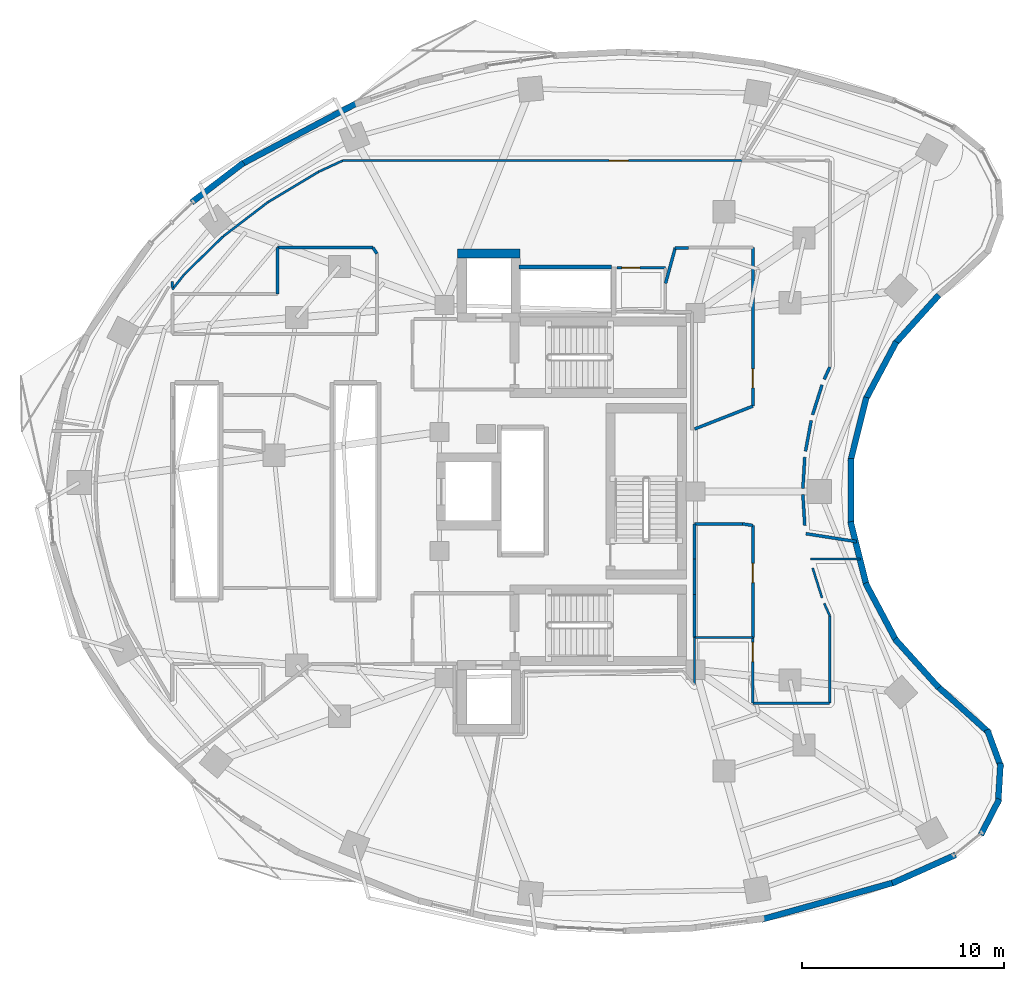
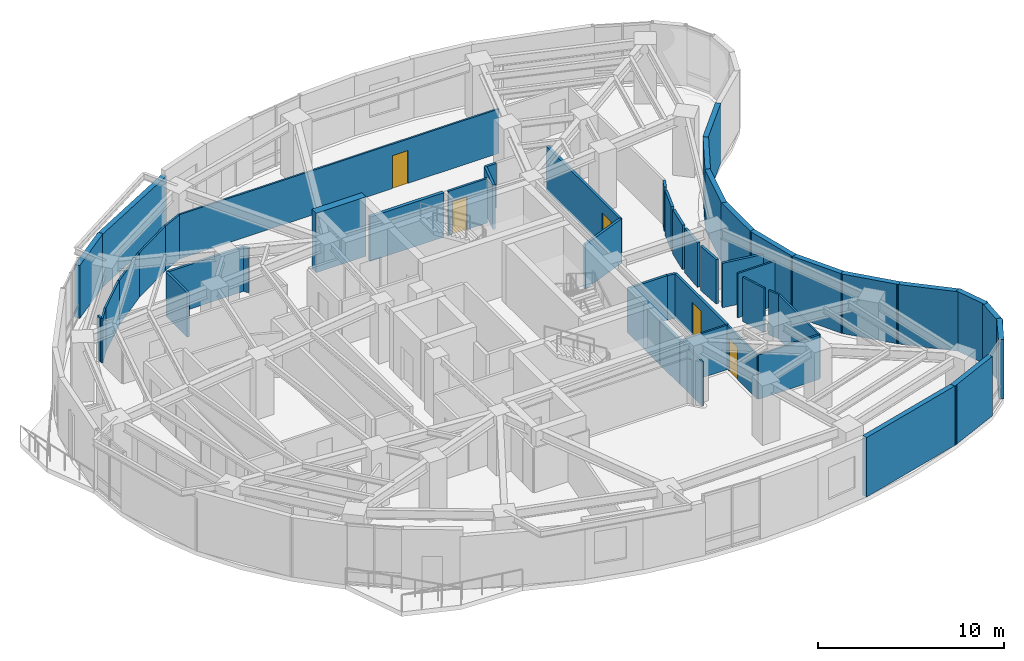
# One storey, part 10 of 14: 52 walls, 5 doors, 5 openings.
"""IFC4 building model written with IfcOpenShell, lengths in metres."""

from ifc_helpers import new_model, si_unit, direction, frame, frame_2d, origin, place, context, subcontext, project, spatial, rectangle, extrude, material, layer, layer_set, type_object, element, fill, save


model = new_model("IFC4")

# Units and contexts
model_context = context("Model", 3, precision=1e-05, world=origin(), true_north=direction((0.0, 1.0)))
body_context = subcontext(model_context, "Body", "Model", "MODEL_VIEW")
ifc_project = project(units=[si_unit("LENGTHUNIT", "METRE"), si_unit("AREAUNIT", "SQUARE_METRE"), si_unit("VOLUMEUNIT", "CUBIC_METRE"), si_unit("PLANEANGLEUNIT", "RADIAN"), si_unit("MASSUNIT", "GRAM", prefix="KILO")], contexts=[model_context])

# Site, building, storey
site_placement = place(None, origin())
site = spatial("IfcSite", under=ifc_project, at=site_placement, CompositionType="ELEMENT")
building_placement = place(site_placement, origin())
building = spatial("IfcBuilding", under=site, at=building_placement, Name="Korentha Bioscience Tower", CompositionType="ELEMENT")
storey_placement = place(building_placement, frame((0.0, 0.0, 119.39990234375)))
storey = spatial("IfcBuildingStorey", under=building, at=storey_placement, Name="L27", CompositionType="ELEMENT", Elevation=119.39990234375)

# Wall, opening, door
ifc_material_1 = material(Name="Double-Stud Acoustic Gypsum", Category="gypsum")
ifc_layer_1 = layer(ifc_material_1, 0.14990234375, Name="Double-Stud Acoustic Gypsum")
ifc_layer_set_1 = layer_set([ifc_layer_1], Name="Double-Stud Acoustic Gypsum (IW-L150)")
wall_type_1 = type_object("IfcWallType", Name="Acoustic Laboratory Partition Wall 150", PredefinedType="PARTITIONING", material=ifc_layer_set_1)
wall_1_placement = place(storey_placement, frame((40.389892578125, 25.3095703125, 0.0), z_axis=(0.0, 0.0, 1.0), x_axis=(0.0, -1.0, 0.0)))
wall_1 = element("IfcWall", 1, at=wall_1_placement, inside=storey, type_object=wall_type_1, Name="L27 Fluorescence Confocal Microscopy Room 05 Entrance Wall", PredefinedType="PARTITIONING", context=body_context, shape_type="SweptSolid", body=[
    extrude(rectangle(XDim=5.551513671875, YDim=0.14990234375, at=frame_2d((2.77587890625, 0.0))), origin(), (0.0, 0.0, 1.0), 2.91015625),
])
opening_1_placement = place(wall_1_placement, frame((1.881591796875, 0.0, 0.0)))
opening_1 = element("IfcOpeningElement", 2, at=opening_1_placement, cuts=wall_1, Name="Opening ID-10L", PredefinedType="OPENING", context=body_context, shape_type="SweptSolid", body=[
    extrude(rectangle(XDim=0.949951171875, YDim=2.14990234375, at=frame_2d((0.47509765625, 1.074951171875))), frame((0.0, 0.08984375, 0.0), z_axis=(0.0, -1.0, 0.0), x_axis=(1.0, 0.0, 0.0)), (0.0, 0.0, 1.0), 0.1796875),
])
ifc_material_2 = material(Name="Phenolic Laminate Timber Core", Category="wood")
door_type_1 = type_object("IfcDoorType", Name="Laboratory Single Leaf Door 950x2150 Left", OperationType="SINGLE_SWING_LEFT", PredefinedType="DOOR", material=ifc_material_2)
door_1_placement = place(opening_1_placement, origin())
door_1 = element("IfcDoor", 3, at=door_1_placement, inside=storey, type_object=door_type_1, Name="L27 Fluorescence Confocal Microscopy Room 05 Door", OperationType="SINGLE_SWING_LEFT", OverallHeight=2.14990234375, OverallWidth=0.949951171875, PredefinedType="DOOR", context=body_context, shape_type="SweptSolid", body=[
    extrude(rectangle(XDim=0.949951171875, YDim=2.14990234375, at=frame_2d((0.47509765625, 1.074951171875))), frame((0.0, 0.02490234375, 0.0), z_axis=(0.0, -1.0, 0.0), x_axis=(1.0, 0.0, 0.0)), (0.0, 0.0, 1.0), 0.050048828125),
])
fill(opening_1, door_1)

wall_2_placement = place(storey_placement, frame((40.389892578125, 39.090087890625, 0.0), z_axis=(0.0, 0.0, 1.0), x_axis=(0.0, -1.0, 0.0)))
wall_2 = element("IfcWall", 4, at=wall_2_placement, inside=storey, type_object=wall_type_1, Name="L27 Translational Medicine Team Office 07 Entrance Wall", PredefinedType="PARTITIONING", context=body_context, shape_type="SweptSolid", body=[
    extrude(rectangle(XDim=7.8623046875, YDim=0.14990234375, at=frame_2d((3.93115234375, 0.0))), origin(), (0.0, 0.0, 1.0), 2.91015625),
])
opening_2_placement = place(wall_2_placement, frame((6.00634765625, 0.0, 0.0)))
opening_2 = element("IfcOpeningElement", 5, at=opening_2_placement, cuts=wall_2, Name="Opening ID-10L", PredefinedType="OPENING", context=body_context, shape_type="SweptSolid", body=[
    extrude(rectangle(XDim=0.949951171875, YDim=2.14990234375, at=frame_2d((0.47509765625, 1.074951171875))), frame((0.0, 0.08984375, 0.0), z_axis=(0.0, -1.0, 0.0), x_axis=(1.0, 0.0, 0.0)), (0.0, 0.0, 1.0), 0.1796875),
])
door_2_placement = place(opening_2_placement, origin())
door_2 = element("IfcDoor", 6, at=door_2_placement, inside=storey, type_object=door_type_1, Name="L27 Translational Medicine Team Office 07 Door", OperationType="SINGLE_SWING_LEFT", OverallHeight=2.14990234375, OverallWidth=0.949951171875, PredefinedType="DOOR", context=body_context, shape_type="SweptSolid", body=[
    extrude(rectangle(XDim=0.949951171875, YDim=2.14990234375, at=frame_2d((0.47509765625, 1.074951171875))), frame((0.0, 0.02490234375, 0.0), z_axis=(0.0, -1.0, 0.0), x_axis=(1.0, 0.0, 0.0)), (0.0, 0.0, 1.0), 0.050048828125),
])
fill(opening_2, door_2)

# Walls
wall_3_placement = place(storey_placement, frame((37.501953125, 21.8955078125, 0.0), z_axis=(0.0, 0.0, 1.0), x_axis=(0.0, 1.0, 0.0)))
element("IfcWall", 7, at=wall_3_placement, inside=storey, type_object=wall_type_1, Name="L27 Interior Partition 045", PredefinedType="PARTITIONING", context=body_context, shape_type="SweptSolid", body=[
    extrude(rectangle(XDim=1.75244140625, YDim=0.14990234375, at=frame_2d((0.876220703125, 0.0))), origin(), (0.0, 0.0, 1.0), 2.91015625),
])
wall_4_placement = place(storey_placement, frame((37.501953125, 23.652099609375, 0.0), z_axis=(0.0, 0.0, 1.0), x_axis=(0.0, 1.0, 0.0)))
element("IfcWall", 8, at=wall_4_placement, inside=storey, type_object=wall_type_1, Name="L27 Interior Partition 046", PredefinedType="PARTITIONING", context=body_context, shape_type="SweptSolid", body=[
    extrude(rectangle(XDim=1.73779296875, YDim=0.14990234375, at=frame_2d((0.868896484375, 0.0))), origin(), (0.0, 0.0, 1.0), 2.91015625),
])
wall_5_placement = place(storey_placement, frame((37.501953125, 25.389892578125, 0.0), z_axis=(0.0, 0.0, 1.0), x_axis=(1.0, 0.0, 0.0)))
element("IfcWall", 9, at=wall_5_placement, inside=storey, type_object=wall_type_1, Name="L27 Interior Partition 047", PredefinedType="PARTITIONING", context=body_context, shape_type="SweptSolid", body=[
    extrude(rectangle(XDim=2.3740234375, YDim=0.14990234375, at=frame_2d((1.18701171875, 0.0))), origin(), (0.0, 0.0, 1.0), 2.91015625),
])
wall_6_placement = place(storey_placement, frame((39.8759765625, 25.389892578125, 0.0), z_axis=(0.0, 0.0, 1.0), x_axis=(0.988005321265, -0.15441983406, 0.0)))
element("IfcWall", 10, at=wall_6_placement, inside=storey, type_object=wall_type_1, Name="L27 Interior Partition 048", PredefinedType="PARTITIONING", context=body_context, shape_type="SweptSolid", body=[
    extrude(rectangle(XDim=0.520263671875, YDim=0.14990234375, at=frame_2d((0.26025390625, 0.0))), origin(), (0.0, 0.0, 1.0), 2.91015625),
])
wall_7_placement = place(storey_placement, frame((37.501953125, 19.758056640625, 0.0), z_axis=(0.0, 0.0, 1.0), x_axis=(0.0, 1.0, 0.0)))
element("IfcWall", 11, at=wall_7_placement, inside=storey, type_object=wall_type_1, Name="L27 Interior Partition 049", PredefinedType="PARTITIONING", context=body_context, shape_type="SweptSolid", body=[
    extrude(rectangle(XDim=2.13232421875, YDim=0.14990234375, at=frame_2d((1.066162109375, 0.0))), origin(), (0.0, 0.0, 1.0), 2.91015625),
])
wall_8_placement = place(storey_placement, frame((45.53173828125, 24.50830078125, 0.0), z_axis=(0.0, 0.0, 1.0), x_axis=(-0.987957888296, 0.154723013653, 0.0)))
element("IfcWall", 12, at=wall_8_placement, inside=storey, type_object=wall_type_1, Name="L27 Interior Partition 050", PredefinedType="PARTITIONING", context=body_context, shape_type="SweptSolid", body=[
    extrude(rectangle(XDim=2.538818359375, YDim=0.14990234375, at=frame_2d((1.26953125, 0.0))), origin(), (0.0, 0.0, 1.0), 2.91015625),
])
for number, where, z_axis, x_axis, name in (
    (13, (42.96728515625, 25.303955078125, 0.0), (0.0, 0.0, 1.0), (-0.061103659378, 0.99813142562, 0.0), "L27 Interior Partition 051"),
    (14, (42.87255859375, 27.148681640625, 0.0), (0.0, 0.0, 1.0), (0.061103659378, 0.99813142562, 0.0), "L27 Interior Partition 052"),
):
    element("IfcWall", number, at=place(storey_placement, frame(where, z_axis=z_axis, x_axis=x_axis)), inside=storey, type_object=wall_type_1, Name=name, PredefinedType="PARTITIONING", context=body_context, shape_type="SweptSolid", body=[
        extrude(rectangle(XDim=1.55029296875, YDim=0.14990234375, at=frame_2d((0.775146484375, 0.0))), origin(), (0.0, 0.0, 1.0), 2.91015625),
    ])
wall_9_placement = place(storey_placement, frame((43.00341796875, 28.99072265625, 0.0), z_axis=(0.0, 0.0, 1.0), x_axis=(0.182168192784, 0.983267384559, 0.0)))
element("IfcWall", 15, at=wall_9_placement, inside=storey, type_object=wall_type_1, Name="L27 Interior Partition 053", PredefinedType="PARTITIONING", context=body_context, shape_type="SweptSolid", body=[
    extrude(rectangle(XDim=1.550537109375, YDim=0.14990234375, at=frame_2d((0.775390625, 0.0))), origin(), (0.0, 0.0, 1.0), 2.91015625),
])
wall_10_placement = place(storey_placement, frame((43.35791015625, 30.803466796875, 0.0), z_axis=(0.0, 0.0, 1.0), x_axis=(0.300641414783, 0.953737248783, 0.0)))
element("IfcWall", 16, at=wall_10_placement, inside=storey, type_object=wall_type_1, Name="L27 Interior Partition 054", PredefinedType="PARTITIONING", context=body_context, shape_type="SweptSolid", body=[
    extrude(rectangle(XDim=1.55029296875, YDim=0.14990234375, at=frame_2d((0.775146484375, 0.0))), origin(), (0.0, 0.0, 1.0), 2.91015625),
])
wall_11_placement = place(storey_placement, frame((43.930419921875, 32.55908203125, 0.0), z_axis=(0.0, 0.0, 1.0), x_axis=(0.414377467152, 0.910105111905, 0.0)))
element("IfcWall", 17, at=wall_11_placement, inside=storey, type_object=wall_type_1, Name="L27 Interior Partition 055", PredefinedType="PARTITIONING", context=body_context, shape_type="SweptSolid", body=[
    extrude(rectangle(XDim=0.67236328125, YDim=0.14990234375, at=frame_2d((0.336181640625, 0.0))), origin(), (0.0, 0.0, 1.0), 2.91015625),
])
wall_12_placement = place(storey_placement, frame((36.539794921875, 39.080078125, 0.0), z_axis=(0.0, 0.0, 1.0), x_axis=(1.0, 0.0, 0.0)))
element("IfcWall", 18, at=wall_12_placement, inside=storey, type_object=wall_type_1, Name="L27 Interior Partition 058", PredefinedType="PARTITIONING", context=body_context, shape_type="SweptSolid", body=[
    extrude(rectangle(XDim=0.66015625, YDim=0.14990234375, at=frame_2d((0.330078125, 0.0))), origin(), (0.0, 0.0, 1.0), 2.91015625),
])
wall_13_placement = place(storey_placement, frame((40.389892578125, 31.227783203125, 0.0), z_axis=(0.0, 0.0, 1.0), x_axis=(-0.931038232899, -0.364921647592, 0.0)))
element("IfcWall", 19, at=wall_13_placement, inside=storey, type_object=wall_type_1, Name="L27 Interior Partition 061", PredefinedType="PARTITIONING", context=body_context, shape_type="SweptSolid", body=[
    extrude(rectangle(XDim=3.1015625, YDim=0.14990234375, at=frame_2d((1.55078125, 0.0))), origin(), (0.0, 0.0, 1.0), 2.91015625),
])
wall_14_placement = place(storey_placement, frame((36.06005859375, 37.322021484375, 0.0), z_axis=(0.0, 0.0, 1.0), x_axis=(0.263253435486, 0.964726711927, 0.0)))
element("IfcWall", 20, at=wall_14_placement, inside=storey, type_object=wall_type_1, Name="L27 Interior Partition 064", PredefinedType="PARTITIONING", context=body_context, shape_type="SweptSolid", body=[
    extrude(rectangle(XDim=1.822265625, YDim=0.14990234375, at=frame_2d((0.9111328125, 0.0))), origin(), (0.0, 0.0, 1.0), 2.91015625),
])
wall_15_placement = place(storey_placement, frame((16.81005859375, 36.800048828125, 0.0), z_axis=(0.0, 0.0, 1.0), x_axis=(0.0, 1.0, 0.0)))
element("IfcWall", 21, at=wall_15_placement, inside=storey, type_object=wall_type_1, Name="L27 Interior Partition 078", PredefinedType="PARTITIONING", context=body_context, shape_type="SweptSolid", body=[
    extrude(rectangle(XDim=2.2900390625, YDim=0.14990234375, at=frame_2d((1.14501953125, 0.0))), origin(), (0.0, 0.0, 1.0), 2.91015625),
])
wall_16_placement = place(storey_placement, frame((16.81005859375, 39.090087890625, 0.0), z_axis=(0.0, 0.0, 1.0), x_axis=(1.0, 0.0, 0.0)))
element("IfcWall", 22, at=wall_16_placement, inside=storey, type_object=wall_type_1, Name="L27 Interior Partition 079", PredefinedType="PARTITIONING", context=body_context, shape_type="SweptSolid", body=[
    extrude(rectangle(XDim=4.732177734375, YDim=0.14990234375, at=frame_2d((2.3662109375, 0.0))), origin(), (0.0, 0.0, 1.0), 2.91015625),
])
wall_17_placement = place(storey_placement, frame((21.542236328125, 39.090087890625, 0.0), z_axis=(0.0, 0.0, 1.0), x_axis=(0.554700196225, -0.832050294338, 0.0)))
element("IfcWall", 23, at=wall_17_placement, inside=storey, type_object=wall_type_1, Name="L27 Interior Partition 080", PredefinedType="PARTITIONING", context=body_context, shape_type="SweptSolid", body=[
    extrude(rectangle(XDim=0.3564453125, YDim=0.14990234375, at=frame_2d((0.17822265625, 0.0))), origin(), (0.0, 0.0, 1.0), 2.91015625),
])

# Wall, opening, door
ifc_material_3 = material(Name="Fire-Rated Framed Glass", Category="glass")
ifc_layer_2 = layer(ifc_material_3, 0.110107421875, Name="Fire-Rated Framed Glass")
ifc_layer_set_2 = layer_set([ifc_layer_2], Name="Fire-Rated Framed Glass (IW-G110)")
wall_type_2 = type_object("IfcWallType", Name="Demountable Glazed Office Partition 110", PredefinedType="MOVABLE", material=ifc_layer_set_2)
wall_18_placement = place(storey_placement, frame((40.389892578125, 19.748046875, 0.0), z_axis=(0.0, 0.0, 1.0), x_axis=(0.0, -1.0, 0.0)))
wall_18 = element("IfcWall", 24, at=wall_18_placement, inside=storey, type_object=wall_type_2, Name="L27 Principal Investigator Office 04 Entrance Wall", PredefinedType="MOVABLE", context=body_context, shape_type="SweptSolid", body=[
    extrude(rectangle(XDim=3.248046875, YDim=0.110107421875, at=frame_2d((1.6240234375, 0.0))), origin(), (0.0, 0.0, 1.0), 2.91015625),
])
opening_3_placement = place(wall_18_placement, frame((0.239990234375, 0.0, 0.0)))
opening_3 = element("IfcOpeningElement", 25, at=opening_3_placement, cuts=wall_18, Name="Opening ID-10R", PredefinedType="OPENING", context=body_context, shape_type="SweptSolid", body=[
    extrude(rectangle(XDim=0.949951171875, YDim=2.14990234375, at=frame_2d((0.47509765625, 1.074951171875))), frame((0.0, 0.06982421875, 0.0), z_axis=(0.0, -1.0, 0.0), x_axis=(1.0, 0.0, 0.0)), (0.0, 0.0, 1.0), 0.139892578125),
])
door_type_2 = type_object("IfcDoorType", Name="Laboratory Single Leaf Door 950x2150 Right", OperationType="SINGLE_SWING_RIGHT", PredefinedType="DOOR", material=ifc_material_2)
door_3_placement = place(opening_3_placement, origin())
door_3 = element("IfcDoor", 26, at=door_3_placement, inside=storey, type_object=door_type_2, Name="L27 Principal Investigator Office 04 Door", OperationType="SINGLE_SWING_RIGHT", OverallHeight=2.14990234375, OverallWidth=0.949951171875, PredefinedType="DOOR", context=body_context, shape_type="SweptSolid", body=[
    extrude(rectangle(XDim=0.949951171875, YDim=2.14990234375, at=frame_2d((0.47509765625, 1.074951171875))), frame((0.0, 0.02490234375, 0.0), z_axis=(0.0, -1.0, 0.0), x_axis=(1.0, 0.0, 0.0)), (0.0, 0.0, 1.0), 0.050048828125),
])
fill(opening_3, door_3)

wall_19_placement = place(storey_placement, frame((39.854248046875, 43.409912109375, 0.0), z_axis=(0.0, 0.0, 1.0), x_axis=(-1.0, 0.0, 0.0)))
wall_19 = element("IfcWall", 27, at=wall_19_placement, inside=storey, type_object=wall_type_2, Name="L27 Biostatistics Research Office 08 Entrance Wall", PredefinedType="MOVABLE", context=body_context, shape_type="SweptSolid", body=[
    extrude(rectangle(XDim=19.811767578125, YDim=0.110107421875, at=frame_2d((9.90576171875, 0.0))), origin(), (0.0, 0.0, 1.0), 2.91015625),
])
opening_4_placement = place(wall_19_placement, frame((5.64208984375, 0.0, 0.0)))
opening_4 = element("IfcOpeningElement", 28, at=opening_4_placement, cuts=wall_19, Name="Opening ID-10R", PredefinedType="OPENING", context=body_context, shape_type="SweptSolid", body=[
    extrude(rectangle(XDim=0.949951171875, YDim=2.14990234375, at=frame_2d((0.47509765625, 1.074951171875))), frame((0.0, 0.06982421875, 0.0), z_axis=(0.0, -1.0, 0.0), x_axis=(1.0, 0.0, 0.0)), (0.0, 0.0, 1.0), 0.139892578125),
])
door_4_placement = place(opening_4_placement, origin())
door_4 = element("IfcDoor", 29, at=door_4_placement, inside=storey, type_object=door_type_2, Name="L27 Biostatistics Research Office 08 Door", OperationType="SINGLE_SWING_RIGHT", OverallHeight=2.14990234375, OverallWidth=0.949951171875, PredefinedType="DOOR", context=body_context, shape_type="SweptSolid", body=[
    extrude(rectangle(XDim=0.949951171875, YDim=2.14990234375, at=frame_2d((0.47509765625, 1.074951171875))), frame((0.0, 0.02490234375, 0.0), z_axis=(0.0, -1.0, 0.0), x_axis=(1.0, 0.0, 0.0)), (0.0, 0.0, 1.0), 0.050048828125),
])
fill(opening_4, door_4)

# Walls
wall_20_placement = place(storey_placement, frame((37.501953125, 17.397216796875, 0.0), z_axis=(0.0, 0.0, 1.0), x_axis=(0.0, 1.0, 0.0)))
element("IfcWall", 30, at=wall_20_placement, inside=storey, type_object=wall_type_2, Name="L27 Interior Partition 037", PredefinedType="MOVABLE", context=body_context, shape_type="SweptSolid", body=[
    extrude(rectangle(XDim=2.3505859375, YDim=0.110107421875, at=frame_2d((1.17529296875, 0.0))), origin(), (0.0, 0.0, 1.0), 2.91015625),
])
wall_21_placement = place(storey_placement, frame((37.502197265625, 19.748046875, 0.0), z_axis=(0.0, 0.0, 1.0), x_axis=(1.0, 0.0, 0.0)))
element("IfcWall", 31, at=wall_21_placement, inside=storey, type_object=wall_type_2, Name="L27 Interior Partition 038", PredefinedType="MOVABLE", context=body_context, shape_type="SweptSolid", body=[
    extrude(rectangle(XDim=2.8876953125, YDim=0.110107421875, at=frame_2d((1.44384765625, 0.0))), origin(), (0.0, 0.0, 1.0), 2.91015625),
])
wall_22_placement = place(storey_placement, frame((40.39990234375, 16.489990234375, 0.0), z_axis=(0.0, 0.0, 1.0), x_axis=(1.0, 0.0, 0.0)))
element("IfcWall", 32, at=wall_22_placement, inside=storey, type_object=wall_type_2, Name="L27 Interior Partition 039", PredefinedType="MOVABLE", context=body_context, shape_type="SweptSolid", body=[
    extrude(rectangle(XDim=3.800048828125, YDim=0.110107421875, at=frame_2d((1.89990234375, 0.0))), origin(), (0.0, 0.0, 1.0), 2.91015625),
])
wall_23_placement = place(storey_placement, frame((44.2099609375, 16.5, 0.0), z_axis=(0.0, 0.0, 1.0), x_axis=(0.0, 1.0, 0.0)))
element("IfcWall", 33, at=wall_23_placement, inside=storey, type_object=wall_type_2, Name="L27 Interior Partition 040", PredefinedType="MOVABLE", context=body_context, shape_type="SweptSolid", body=[
    extrude(rectangle(XDim=4.324951171875, YDim=0.110107421875, at=frame_2d((2.16259765625, 0.0))), origin(), (0.0, 0.0, 1.0), 2.91015625),
])
wall_24_placement = place(storey_placement, frame((44.208984375, 20.8291015625, 0.0), z_axis=(0.0, 0.0, 1.0), x_axis=(-0.414377467152, 0.910105111905, 0.0)))
element("IfcWall", 34, at=wall_24_placement, inside=storey, type_object=wall_type_2, Name="L27 Interior Partition 041", PredefinedType="MOVABLE", context=body_context, shape_type="SweptSolid", body=[
    extrude(rectangle(XDim=0.67236328125, YDim=0.110107421875, at=frame_2d((0.336181640625, 0.0))), origin(), (0.0, 0.0, 1.0), 2.91015625),
])
wall_25_placement = place(storey_placement, frame((43.823974609375, 21.718017578125, 0.0), z_axis=(0.0, 0.0, 1.0), x_axis=(-0.300641414783, 0.953737248783, 0.0)))
element("IfcWall", 35, at=wall_25_placement, inside=storey, type_object=wall_type_2, Name="L27 Interior Partition 042", PredefinedType="MOVABLE", context=body_context, shape_type="SweptSolid", body=[
    extrude(rectangle(XDim=1.55029296875, YDim=0.110107421875, at=frame_2d((0.775146484375, 0.0))), origin(), (0.0, 0.0, 1.0), 2.91015625),
])
wall_26_placement = place(storey_placement, frame((43.255615234375, 23.64794921875, 0.0), z_axis=(0.0, 0.0, 1.0), x_axis=(1.0, 0.0, 0.0)))
element("IfcWall", 36, at=wall_26_placement, inside=storey, type_object=wall_type_2, Name="L27 Interior Partition 043", PredefinedType="MOVABLE", context=body_context, shape_type="SweptSolid", body=[
    extrude(rectangle(XDim=2.4736328125, YDim=0.110107421875, at=frame_2d((1.23681640625, 0.0))), origin(), (0.0, 0.0, 1.0), 2.91015625),
])
wall_27_placement = place(storey_placement, frame((20.038330078125, 43.4091796875, 0.0), z_axis=(0.0, 0.0, 1.0), x_axis=(-0.907124862852, -0.420861596248, 0.0)))
element("IfcWall", 37, at=wall_27_placement, inside=storey, type_object=wall_type_2, Name="L27 Interior Partition 065", PredefinedType="MOVABLE", context=body_context, shape_type="SweptSolid", body=[
    extrude(rectangle(XDim=1.321533203125, YDim=0.110107421875, at=frame_2d((0.66064453125, 0.0))), origin(), (0.0, 0.0, 1.0), 2.91015625),
])
wall_28_placement = place(storey_placement, frame((18.838623046875, 42.8525390625, 0.0), z_axis=(0.0, 0.0, 1.0), x_axis=(-0.857603806023, -0.514310909757, 0.0)))
element("IfcWall", 38, at=wall_28_placement, inside=storey, type_object=wall_type_2, Name="L27 Interior Partition 066", PredefinedType="MOVABLE", context=body_context, shape_type="SweptSolid", body=[
    extrude(rectangle(XDim=2.91357421875, YDim=0.110107421875, at=frame_2d((1.456787109375, 0.0))), origin(), (0.0, 0.0, 1.0), 2.91015625),
])
wall_29_placement = place(storey_placement, frame((16.3388671875, 41.353515625, 0.0), z_axis=(0.0, 0.0, 1.0), x_axis=(-0.794513779695, -0.607246122981, 0.0)))
element("IfcWall", 39, at=wall_29_placement, inside=storey, type_object=wall_type_2, Name="L27 Interior Partition 067", PredefinedType="MOVABLE", context=body_context, shape_type="SweptSolid", body=[
    extrude(rectangle(XDim=2.799072265625, YDim=0.110107421875, at=frame_2d((1.3994140625, 0.0))), origin(), (0.0, 0.0, 1.0), 2.91015625),
])
wall_30_placement = place(storey_placement, frame((14.1142578125, 39.65283203125, 0.0), z_axis=(0.0, 0.0, 1.0), x_axis=(-0.716161838398, -0.697934252794, 0.0)))
element("IfcWall", 40, at=wall_30_placement, inside=storey, type_object=wall_type_2, Name="L27 Interior Partition 068", PredefinedType="MOVABLE", context=body_context, shape_type="SweptSolid", body=[
    extrude(rectangle(XDim=2.6787109375, YDim=0.110107421875, at=frame_2d((1.33935546875, 0.0))), origin(), (0.0, 0.0, 1.0), 2.91015625),
])
wall_31_placement = place(storey_placement, frame((12.195068359375, 37.781982421875, 0.0), z_axis=(0.0, 0.0, 1.0), x_axis=(-0.621081637991, -0.783745876513, 0.0)))
element("IfcWall", 41, at=wall_31_placement, inside=storey, type_object=wall_type_2, Name="L27 Interior Partition 069", PredefinedType="MOVABLE", context=body_context, shape_type="SweptSolid", body=[
    extrude(rectangle(XDim=0.97412109375, YDim=0.110107421875, at=frame_2d((0.487060546875, 0.0))), origin(), (0.0, 0.0, 1.0), 2.91015625),
])
wall_32_placement = place(storey_placement, frame((11.590087890625, 37.11181640625, 0.0), z_axis=(0.0, 0.0, 1.0), x_axis=(0.0, 1.0, 0.0)))
element("IfcWall", 42, at=wall_32_placement, inside=storey, type_object=wall_type_2, Name="L27 Interior Partition 070", PredefinedType="MOVABLE", context=body_context, shape_type="SweptSolid", body=[
    extrude(rectangle(XDim=0.296142578125, YDim=0.110107421875, at=frame_2d((0.14794921875, 0.0))), origin(), (0.0, 0.0, 1.0), 2.91015625),
])
ifc_material_4 = material(Name="Honed Limestone Precast Concrete C40", Category="masonry")
ifc_layer_3 = layer(ifc_material_4, 0.300048828125, Name="Honed Limestone Precast Concrete C40")
ifc_layer_set_3 = layer_set([ifc_layer_3], Name="Honed Limestone Precast Concrete C40 (EW-ST300)")
wall_type_3 = type_object("IfcWallType", Name="Honed Limestone Cavity Spandrel Wall 300", PredefinedType="STANDARD", material=ifc_layer_set_3)
wall_33_placement = place(storey_placement, frame((20.802490234375, 46.29248046875, 0.0), z_axis=(0.0, 0.0, 1.0), x_axis=(-0.883986649445, -0.467512142734, 0.0)))
element("IfcWall", 43, at=wall_33_placement, inside=storey, type_object=wall_type_3, Name="L27 Limestone Perimeter Closure Wall 10", PredefinedType="STANDARD", context=body_context, shape_type="SweptSolid", body=[
    extrude(rectangle(XDim=6.601318359375, YDim=0.300048828125, at=frame_2d((3.30078125, 0.0))), origin(), (0.0, 0.0, 1.0), 3.47021484375),
])
wall_34_placement = place(storey_placement, frame((15.120849609375, 43.3046875, 0.0), z_axis=(0.0, 0.0, 1.0), x_axis=(-0.794500987227, -0.607262860132, 0.0)))
element("IfcWall", 44, at=wall_34_placement, inside=storey, type_object=wall_type_3, Name="L27 Limestone Perimeter Closure Wall 12", PredefinedType="STANDARD", context=body_context, shape_type="SweptSolid", body=[
    extrude(rectangle(XDim=3.242919921875, YDim=0.300048828125, at=frame_2d((1.62158203125, 0.0))), origin(), (0.0, 0.0, 1.0), 3.47021484375),
])
wall_35_placement = place(storey_placement, frame((40.810791015625, 5.7568359375, 0.0), z_axis=(0.0, 0.0, 1.0), x_axis=(0.963116215402, 0.269085777459, 0.0)))
element("IfcWall", 45, at=wall_35_placement, inside=storey, type_object=wall_type_3, Name="L27 Limestone Perimeter Closure Wall 34", PredefinedType="STANDARD", context=body_context, shape_type="SweptSolid", body=[
    extrude(rectangle(XDim=6.923583984375, YDim=0.300048828125, at=frame_2d((3.4619140625, 0.0))), origin(), (0.0, 0.0, 1.0), 3.900146484375),
])
wall_36_placement = place(storey_placement, frame((47.309326171875, 7.55859375, 0.0), z_axis=(0.0, 0.0, 1.0), x_axis=(0.912672725317, 0.408691199395, 0.0)))
element("IfcWall", 46, at=wall_36_placement, inside=storey, type_object=wall_type_3, Name="L27 Limestone Perimeter Closure Wall 36", PredefinedType="STANDARD", context=body_context, shape_type="SweptSolid", body=[
    extrude(rectangle(XDim=3.44091796875, YDim=0.300048828125, at=frame_2d((1.720458984375, 0.0))), origin(), (0.0, 0.0, 1.0), 3.900146484375),
])
for number, where, z_axis, x_axis, name in (
    (47, (51.701171875, 9.953125, 0.0), (0.0, 0.0, 1.0), (0.457596540329, 0.889159944149, 0.0), "L27 Limestone Perimeter Closure Wall 38"),
    (48, (52.55859375, 11.522705078125, 0.0), (0.0, 0.0, 1.0), (0.060255200356, 0.998183004679, 0.0), "L27 Limestone Perimeter Closure Wall 39"),
):
    element("IfcWall", number, at=place(storey_placement, frame(where, z_axis=z_axis, x_axis=x_axis)), inside=storey, type_object=wall_type_3, Name=name, PredefinedType="STANDARD", context=body_context, shape_type="SweptSolid", body=[
        extrude(rectangle(XDim=1.99755859375, YDim=0.300048828125, at=frame_2d((0.998779296875, 0.0))), origin(), (0.0, 0.0, 1.0), 3.900146484375),
    ])
wall_37_placement = place(storey_placement, frame((52.710205078125, 13.3046875, 0.0), z_axis=(0.0, 0.0, 1.0), x_axis=(-0.347370087337, 0.937728117539, 0.0)))
element("IfcWall", 49, at=wall_37_placement, inside=storey, type_object=wall_type_3, Name="L27 Limestone Perimeter Closure Wall 40", PredefinedType="STANDARD", context=body_context, shape_type="SweptSolid", body=[
    extrude(rectangle(XDim=1.997314453125, YDim=0.300048828125, at=frame_2d((0.99853515625, 0.0))), origin(), (0.0, 0.0, 1.0), 3.900146484375),
])
wall_38_placement = place(storey_placement, frame((52.14111328125, 14.993896484375, 0.0), z_axis=(0.0, 0.0, 1.0), x_axis=(-0.74255963233, 0.669779958221, 0.0)))
element("IfcWall", 50, at=wall_38_placement, inside=storey, type_object=wall_type_3, Name="L27 Limestone Perimeter Closure Wall 41", PredefinedType="STANDARD", context=body_context, shape_type="SweptSolid", body=[
    extrude(rectangle(XDim=3.5390625, YDim=0.300048828125, at=frame_2d((1.76953125, 0.0))), origin(), (0.0, 0.0, 1.0), 3.900146484375),
])
wall_39_placement = place(storey_placement, frame((49.61572265625, 17.26171875, 0.0), z_axis=(0.0, 0.0, 1.0), x_axis=(-0.669167727967, 0.743111399353, 0.0)))
element("IfcWall", 51, at=wall_39_placement, inside=storey, type_object=wall_type_3, Name="L27 Limestone Perimeter Closure Wall 43", PredefinedType="STANDARD", context=body_context, shape_type="SweptSolid", body=[
    extrude(rectangle(XDim=3.25537109375, YDim=0.300048828125, at=frame_2d((1.627685546875, 0.0))), origin(), (0.0, 0.0, 1.0), 3.900146484375),
])
wall_40_placement = place(storey_placement, frame((47.5087890625, 19.578857421875, 0.0), z_axis=(0.0, 0.0, 1.0), x_axis=(-0.469451284634, 0.882958374645, 0.0)))
element("IfcWall", 52, at=wall_40_placement, inside=storey, type_object=wall_type_3, Name="L27 Limestone Perimeter Closure Wall 45", PredefinedType="STANDARD", context=body_context, shape_type="SweptSolid", body=[
    extrude(rectangle(XDim=3.255615234375, YDim=0.300048828125, at=frame_2d((1.6279296875, 0.0))), origin(), (0.0, 0.0, 1.0), 3.900146484375),
])
wall_41_placement = place(storey_placement, frame((46.025146484375, 22.3369140625, 0.0), z_axis=(0.0, 0.0, 1.0), x_axis=(-0.241900409149, 0.970301083197, 0.0)))
element("IfcWall", 53, at=wall_41_placement, inside=storey, type_object=wall_type_3, Name="L27 Limestone Perimeter Closure Wall 47", PredefinedType="STANDARD", context=body_context, shape_type="SweptSolid", body=[
    extrude(rectangle(XDim=3.255859375, YDim=0.300048828125, at=frame_2d((1.6279296875, 0.0))), origin(), (0.0, 0.0, 1.0), 3.900146484375),
])
wall_42_placement = place(storey_placement, frame((45.252685546875, 25.372314453125, 0.0), z_axis=(0.0, 0.0, 1.0), x_axis=(0.0, 1.0, 0.0)))
element("IfcWall", 54, at=wall_42_placement, inside=storey, type_object=wall_type_3, Name="L27 Limestone Perimeter Closure Wall 49", PredefinedType="STANDARD", context=body_context, shape_type="SweptSolid", body=[
    extrude(rectangle(XDim=3.25537109375, YDim=0.300048828125, at=frame_2d((1.627685546875, 0.0))), origin(), (0.0, 0.0, 1.0), 3.900146484375),
])
wall_43_placement = place(storey_placement, frame((45.237548828125, 28.50390625, 0.0), z_axis=(0.0, 0.0, 1.0), x_axis=(0.241900409149, 0.970301083197, 0.0)))
element("IfcWall", 55, at=wall_43_placement, inside=storey, type_object=wall_type_3, Name="L27 Limestone Perimeter Closure Wall 51", PredefinedType="STANDARD", context=body_context, shape_type="SweptSolid", body=[
    extrude(rectangle(XDim=3.255859375, YDim=0.300048828125, at=frame_2d((1.6279296875, 0.0))), origin(), (0.0, 0.0, 1.0), 3.900146484375),
])
wall_44_placement = place(storey_placement, frame((45.98046875, 31.546630859375, 0.0), z_axis=(0.0, 0.0, 1.0), x_axis=(0.469451284634, 0.882958374645, 0.0)))
element("IfcWall", 56, at=wall_44_placement, inside=storey, type_object=wall_type_3, Name="L27 Limestone Perimeter Closure Wall 53", PredefinedType="STANDARD", context=body_context, shape_type="SweptSolid", body=[
    extrude(rectangle(XDim=3.255615234375, YDim=0.300048828125, at=frame_2d((1.6279296875, 0.0))), origin(), (0.0, 0.0, 1.0), 3.900146484375),
])
wall_45_placement = place(storey_placement, frame((47.437255859375, 34.319091796875, 0.0), z_axis=(0.0, 0.0, 1.0), x_axis=(0.669167727967, 0.743111399353, 0.0)))
element("IfcWall", 57, at=wall_45_placement, inside=storey, type_object=wall_type_3, Name="L27 Limestone Perimeter Closure Wall 55", PredefinedType="STANDARD", context=body_context, shape_type="SweptSolid", body=[
    extrude(rectangle(XDim=3.25537109375, YDim=0.300048828125, at=frame_2d((1.627685546875, 0.0))), origin(), (0.0, 0.0, 1.0), 3.900146484375),
])
ifc_material_5 = material(Name="Autoclaved Aerated Concrete Block C25", Category="concrete")
ifc_layer_4 = layer(ifc_material_5, 0.199951171875, Name="Autoclaved Aerated Concrete Block C25")
ifc_layer_set_4 = layer_set([ifc_layer_4], Name="Autoclaved Aerated Concrete Block C25 (IW-S200)")
wall_type_4 = type_object("IfcWallType", Name="Lift and Riser Shaft Enclosure Wall 200", PredefinedType="PARTITIONING", material=ifc_layer_set_4)
wall_46_placement = place(storey_placement, frame((28.800048828125, 38.139892578125, 0.0), z_axis=(0.0, 0.0, 1.0), x_axis=(1.0, 0.0, 0.0)))
element("IfcWall", 58, at=wall_46_placement, inside=storey, type_object=wall_type_4, Name="L27 Lift Bank OBS Shaft Wall +Y", PredefinedType="PARTITIONING", context=body_context, shape_type="SweptSolid", body=[
    extrude(rectangle(XDim=4.570068359375, YDim=0.199951171875, at=frame_2d((2.28515625, 0.0))), origin(), (0.0, 0.0, 1.0), 2.91015625),
])
ifc_material_6 = material(Name="Concrete C80", Category="concrete")
ifc_layer_5 = layer(ifc_material_6, 0.449951171875, Name="Concrete C80")
ifc_layer_set_5 = layer_set([ifc_layer_5], Name="Concrete C80 (CW-C80)")
wall_type_5 = type_object("IfcWallType", Name="Lower Core Shear Wall 450", PredefinedType="SHEAR", material=ifc_layer_set_5)
wall_47_placement = place(storey_placement, frame((25.75, 38.800048828125, 0.0), z_axis=(0.0, 0.0, 1.0), x_axis=(1.0, 0.0, 0.0)))
element("IfcWall", 59, at=wall_47_placement, inside=storey, type_object=wall_type_5, Name="L27 Core Shear Wall FFL2-N", PredefinedType="SHEAR", context=body_context, shape_type="SweptSolid", body=[
    extrude(rectangle(XDim=3.10009765625, YDim=0.449951171875, at=frame_2d((1.550048828125, 0.0))), origin(), (0.0, 0.0, 1.0), 3.900146484375),
])

# Wall, opening, door
ifc_material_7 = material(Name="Cement-Board Steel Stud", Category="steel")
ifc_layer_6 = layer(ifc_material_7, 0.1298828125, Name="Cement-Board Steel Stud")
ifc_layer_set_6 = layer_set([ifc_layer_6], Name="Cement-Board Steel Stud (IW-W130)")
wall_type_6 = type_object("IfcWallType", Name="Wet-Area Moisture-Resistant Partition 130", PredefinedType="PARTITIONING", material=ifc_layer_set_6)
wall_48_placement = place(storey_placement, frame((33.64990234375, 38.090087890625, 0.0), z_axis=(0.0, 0.0, 1.0), x_axis=(1.0, 0.0, 0.0)))
wall_48 = element("IfcWall", 60, at=wall_48_placement, inside=storey, type_object=wall_type_6, Name="L27 Accessible Staff WC Entrance Wall", PredefinedType="PARTITIONING", context=body_context, shape_type="SweptSolid", body=[
    extrude(rectangle(XDim=2.400146484375, YDim=0.1298828125, at=frame_2d((1.2001953125, 0.0))), origin(), (0.0, 0.0, 1.0), 2.91015625),
])
opening_5_placement = place(wall_48_placement, frame((0.239990234375, 0.0, 0.0)))
opening_5 = element("IfcOpeningElement", 61, at=opening_5_placement, cuts=wall_48, Name="Opening ID-09R", PredefinedType="OPENING", context=body_context, shape_type="SweptSolid", body=[
    extrude(rectangle(XDim=0.89990234375, YDim=2.14990234375, at=frame_2d((0.449951171875, 1.074951171875))), frame((0.0, 0.079833984375, 0.0), z_axis=(0.0, -1.0, 0.0), x_axis=(1.0, 0.0, 0.0)), (0.0, 0.0, 1.0), 0.15966796875),
])
ifc_material_8 = material(Name="Moisture-Resistant HPL Leaf", Category="wood")
door_type_3 = type_object("IfcDoorType", Name="Restroom & Accessible WC Door 900x2150 Right", OperationType="SINGLE_SWING_RIGHT", PredefinedType="DOOR", material=ifc_material_8)
door_5_placement = place(opening_5_placement, origin())
door_5 = element("IfcDoor", 62, at=door_5_placement, inside=storey, type_object=door_type_3, Name="L27 Accessible Staff WC Door", OperationType="SINGLE_SWING_RIGHT", OverallHeight=2.14990234375, OverallWidth=0.89990234375, PredefinedType="DOOR", context=body_context, shape_type="SweptSolid", body=[
    extrude(rectangle(XDim=0.89990234375, YDim=2.14990234375, at=frame_2d((0.449951171875, 1.074951171875))), frame((0.0, 0.02490234375, 0.0), z_axis=(0.0, -1.0, 0.0), x_axis=(1.0, 0.0, 0.0)), (0.0, 0.0, 1.0), 0.050048828125),
])
fill(opening_5, door_5)

save(model, "model.ifc")
